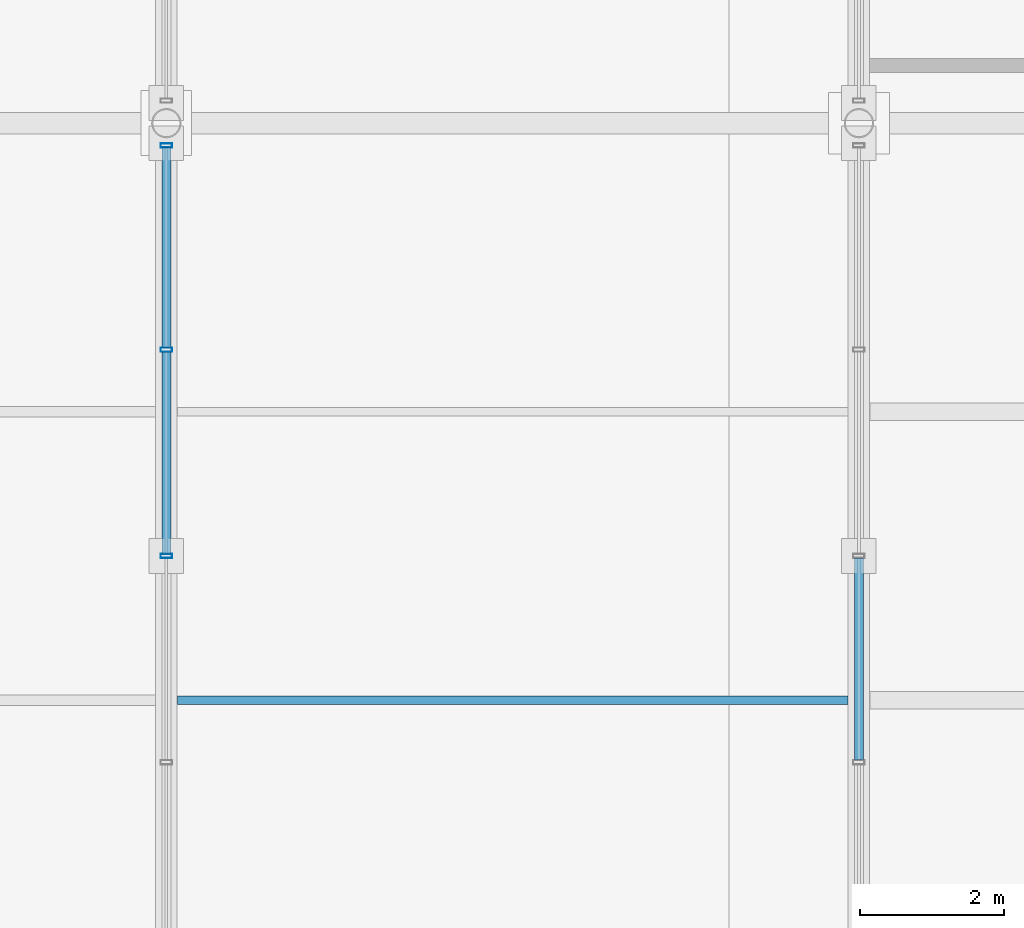
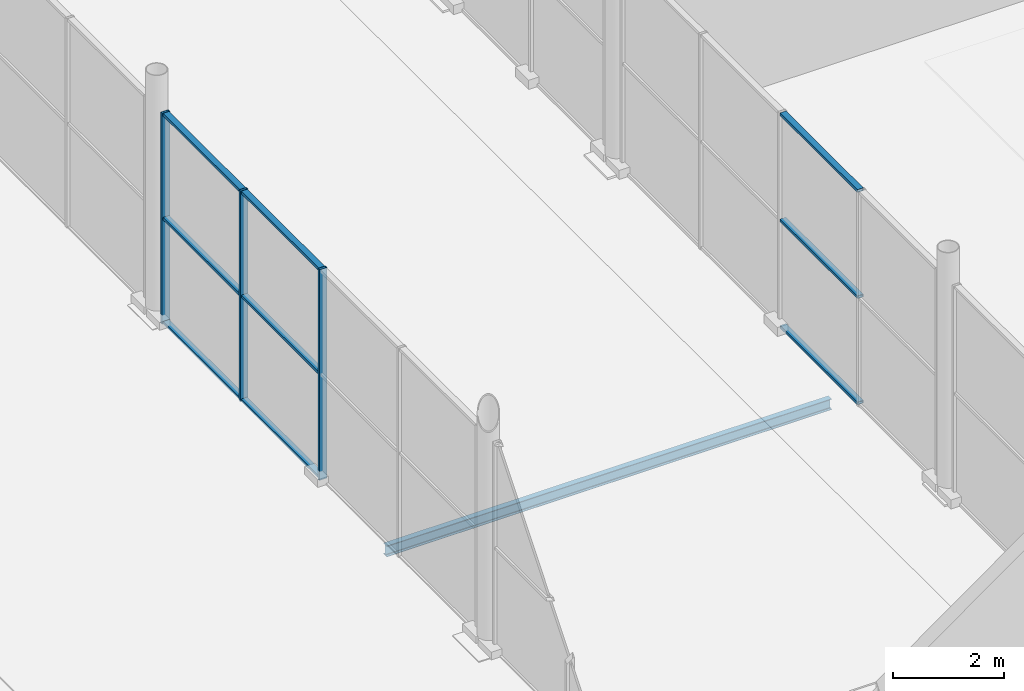
# One storey, part 73 of 196: 12 members, 1 beam, 2 elements without a shape of their own.
"""IFC4 building model written with IfcOpenShell, lengths in metres."""

from ifc_helpers import new_model, si_unit, direction, frame, origin, origin_2d, place, context, subcontext, project, spatial, hollow_rectangle, i_section, extrude, material, material_profile, profile_set, type_object, element, aggregate, save


model = new_model("IFC4")

# Units and contexts
model_context = context("Model", 3, precision=1e-05, world=origin(), true_north=direction((0.0, 1.0)))
body_context = subcontext(model_context, "Body", "Model", "MODEL_VIEW")
ifc_project = project(units=[si_unit("LENGTHUNIT", "METRE"), si_unit("AREAUNIT", "SQUARE_METRE"), si_unit("VOLUMEUNIT", "CUBIC_METRE"), si_unit("PLANEANGLEUNIT", "RADIAN"), si_unit("MASSUNIT", "GRAM", prefix="KILO")], contexts=[model_context])

# Site, building, storey
site_placement = place(None, origin())
site = spatial("IfcSite", under=ifc_project, at=site_placement, CompositionType="ELEMENT")
building_placement = place(site_placement, origin())
building = spatial("IfcBuilding", under=site, at=building_placement, Name="Merenkruunu Market Hall", CompositionType="ELEMENT")
storey_placement = place(building_placement, origin())
storey = spatial("IfcBuildingStorey", under=building, at=storey_placement, Name="L00", CompositionType="ELEMENT", Elevation=0.0)

# Curtain wall, members
ifc_material_1 = material(Name="Powder-coated aluminium", Category="aluminium")
curtain_wall_type_1 = type_object("IfcCurtainWallType", Name="Glazed Curtain Wall CW15", PredefinedType="USERDEFINED", material=ifc_material_1)
curtain_wall_1_placement = place(storey_placement, origin())
curtain_wall_1 = element("IfcCurtainWall", 1, at=curtain_wall_1_placement, inside=storey, type_object=curtain_wall_type_1, Name="CW-L00-CWM01-170", ObjectType="GLAZED_FACADE", PredefinedType="USERDEFINED")
ifc_material_profile_1 = material_profile(ifc_material_1, hollow_rectangle(XDim=0.06005859375, YDim=0.159912109375, WallThickness=0.00390625, at=origin_2d()), Name="ALU 60x160x4")
ifc_profile_set_1 = profile_set([ifc_material_profile_1], Name="Powder-coated aluminium")
member_type_1 = type_object("IfcMemberType", Name="Curtain Wall Mullion CWM01", PredefinedType="MULLION", material=ifc_profile_set_1)
member_1_placement = place(storey_placement, frame((67.199951171875, 33.60009765625, 0.0), z_axis=(0.0, 0.0, 1.0), x_axis=(0.0, 1.0, 0.0)))
member_1 = element("IfcMember", 2, at=member_1_placement, type_object=member_type_1, Name="CW15 mullion 3", PredefinedType="MULLION", context=body_context, shape_type="SweptSolid", body=[
    extrude(hollow_rectangle(XDim=0.06005859375, YDim=0.159912109375, WallThickness=0.00390625, at=origin_2d()), origin(), (0.0, 0.0, 1.0), 4.64990234375),
])
member_2_placement = place(storey_placement, frame((67.199951171875, 36.4599609375, 0.0), z_axis=(0.0, 0.0, 1.0), x_axis=(0.0, 1.0, 0.0)))
member_2 = element("IfcMember", 3, at=member_2_placement, type_object=member_type_1, Name="CW15 mullion 4", PredefinedType="MULLION", context=body_context, shape_type="SweptSolid", body=[
    extrude(hollow_rectangle(XDim=0.06005859375, YDim=0.159912109375, WallThickness=0.00390625, at=origin_2d()), origin(), (0.0, 0.0, 1.0), 4.64990234375),
])
member_3_placement = place(storey_placement, frame((67.199951171875, 39.2900390625, 0.0), z_axis=(0.0, 0.0, 1.0), x_axis=(0.0, 1.0, 0.0)))
member_3 = element("IfcMember", 4, at=member_3_placement, type_object=member_type_1, Name="CW15 mullion 5", PredefinedType="MULLION", context=body_context, shape_type="SweptSolid", body=[
    extrude(hollow_rectangle(XDim=0.06005859375, YDim=0.159912109375, WallThickness=0.00390625, at=origin_2d()), origin(), (0.0, 0.0, 1.0), 4.64990234375),
])

curtain_wall_type_2 = type_object("IfcCurtainWallType", Name="Glazed Curtain Wall CW05", PredefinedType="USERDEFINED", material=ifc_material_1)
curtain_wall_2_placement = place(storey_placement, origin())
curtain_wall_2 = element("IfcCurtainWall", 5, at=curtain_wall_2_placement, inside=storey, type_object=curtain_wall_type_2, Name="CW-L00-CWM01-152", ObjectType="GLAZED_FACADE", PredefinedType="USERDEFINED")
ifc_material_profile_2 = material_profile(ifc_material_1, hollow_rectangle(XDim=0.06005859375, YDim=0.125, WallThickness=0.00390625, at=origin_2d()), Name="ALU 60x125x4")
ifc_profile_set_2 = profile_set([ifc_material_profile_2], Name="Powder-coated aluminium")
member_type_2 = type_object("IfcMemberType", Name="Curtain Wall Transom CWT01", PredefinedType="USERDEFINED", material=ifc_profile_set_2)
member_4_placement = place(storey_placement, frame((76.800048828125, 30.77001953125, 0.030029296875), z_axis=(0.0, 1.0, 0.0), x_axis=(0.0, 0.0, 1.0)))
member_4 = element("IfcMember", 6, at=member_4_placement, type_object=member_type_2, Name="CW05 transom 2.1", ObjectType="TRANSOM", PredefinedType="USERDEFINED", context=body_context, shape_type="SweptSolid", body=[
    extrude(hollow_rectangle(XDim=0.06005859375, YDim=0.125, WallThickness=0.00390625, at=origin_2d()), origin(), (0.0, 0.0, 1.0), 2.800048828125),
])
member_5_placement = place(storey_placement, frame((76.800048828125, 30.77001953125, 2.375), z_axis=(0.0, 1.0, 0.0), x_axis=(0.0, 0.0, 1.0)))
member_5 = element("IfcMember", 7, at=member_5_placement, type_object=member_type_2, Name="CW05 transom 2.2", ObjectType="TRANSOM", PredefinedType="USERDEFINED", context=body_context, shape_type="SweptSolid", body=[
    extrude(hollow_rectangle(XDim=0.06005859375, YDim=0.125, WallThickness=0.00390625, at=origin_2d()), origin(), (0.0, 0.0, 1.0), 2.800048828125),
])
member_6_placement = place(storey_placement, frame((76.800048828125, 30.77001953125, 4.719970703125), z_axis=(0.0, 1.0, 0.0), x_axis=(0.0, 0.0, 1.0)))
member_6 = element("IfcMember", 8, at=member_6_placement, type_object=member_type_2, Name="CW05 transom 2.3", ObjectType="TRANSOM", PredefinedType="USERDEFINED", context=body_context, shape_type="SweptSolid", body=[
    extrude(hollow_rectangle(XDim=0.06005859375, YDim=0.125, WallThickness=0.00390625, at=origin_2d()), origin(), (0.0, 0.0, 1.0), 2.800048828125),
])
aggregate(curtain_wall_2, [member_4, member_5, member_6])

# Member
member_7_placement = place(storey_placement, frame((67.199951171875, 33.6298828125, 0.030029296875), z_axis=(0.0, 1.0, 0.0), x_axis=(0.0, 0.0, 1.0)))
member_7 = element("IfcMember", 9, at=member_7_placement, type_object=member_type_2, Name="CW15 transom 3.1", ObjectType="TRANSOM", PredefinedType="USERDEFINED", context=body_context, shape_type="SweptSolid", body=[
    extrude(hollow_rectangle(XDim=0.06005859375, YDim=0.125, WallThickness=0.00390625, at=origin_2d()), origin(), (0.0, 0.0, 1.0), 2.800048828125),
])

member_8_placement = place(storey_placement, frame((67.199951171875, 33.6298828125, 2.324951171875), z_axis=(0.0, 1.0, 0.0), x_axis=(0.0, 0.0, 1.0)))
member_8 = element("IfcMember", 10, at=member_8_placement, type_object=member_type_2, Name="CW15 transom 3.2", ObjectType="TRANSOM", PredefinedType="USERDEFINED", context=body_context, shape_type="SweptSolid", body=[
    extrude(hollow_rectangle(XDim=0.06005859375, YDim=0.125, WallThickness=0.00390625, at=origin_2d()), origin(), (0.0, 0.0, 1.0), 2.800048828125),
])

member_9_placement = place(storey_placement, frame((67.199951171875, 33.6298828125, 4.6201171875), z_axis=(0.0, 1.0, 0.0), x_axis=(0.0, 0.0, 1.0)))
member_9 = element("IfcMember", 11, at=member_9_placement, type_object=member_type_2, Name="CW15 transom 3.3", ObjectType="TRANSOM", PredefinedType="USERDEFINED", context=body_context, shape_type="SweptSolid", body=[
    extrude(hollow_rectangle(XDim=0.06005859375, YDim=0.125, WallThickness=0.00390625, at=origin_2d()), origin(), (0.0, 0.0, 1.0), 2.800048828125),
])

member_10_placement = place(storey_placement, frame((67.199951171875, 36.489990234375, 0.030029296875), z_axis=(0.0, 1.0, 0.0), x_axis=(0.0, 0.0, 1.0)))
member_10 = element("IfcMember", 12, at=member_10_placement, type_object=member_type_2, Name="CW15 transom 4.1", ObjectType="TRANSOM", PredefinedType="USERDEFINED", context=body_context, shape_type="SweptSolid", body=[
    extrude(hollow_rectangle(XDim=0.06005859375, YDim=0.125, WallThickness=0.00390625, at=origin_2d()), origin(), (0.0, 0.0, 1.0), 2.77001953125),
])

member_11_placement = place(storey_placement, frame((67.199951171875, 36.489990234375, 2.324951171875), z_axis=(0.0, 1.0, 0.0), x_axis=(0.0, 0.0, 1.0)))
member_11 = element("IfcMember", 13, at=member_11_placement, type_object=member_type_2, Name="CW15 transom 4.2", ObjectType="TRANSOM", PredefinedType="USERDEFINED", context=body_context, shape_type="SweptSolid", body=[
    extrude(hollow_rectangle(XDim=0.06005859375, YDim=0.125, WallThickness=0.00390625, at=origin_2d()), origin(), (0.0, 0.0, 1.0), 2.77001953125),
])

member_12_placement = place(storey_placement, frame((67.199951171875, 36.489990234375, 4.6201171875), z_axis=(0.0, 1.0, 0.0), x_axis=(0.0, 0.0, 1.0)))
member_12 = element("IfcMember", 14, at=member_12_placement, type_object=member_type_2, Name="CW15 transom 4.3", ObjectType="TRANSOM", PredefinedType="USERDEFINED", context=body_context, shape_type="SweptSolid", body=[
    extrude(hollow_rectangle(XDim=0.06005859375, YDim=0.125, WallThickness=0.00390625, at=origin_2d()), origin(), (0.0, 0.0, 1.0), 2.77001953125),
])

aggregate(curtain_wall_1, [member_1, member_2, member_3, member_7, member_8, member_9, member_10, member_11, member_12])

# Beam
ifc_material_2 = material(Name="Steel S355J2", Category="steel")
ifc_material_profile_3 = material_profile(ifc_material_2, i_section(OverallWidth=0.1201171875, OverallDepth=0.239990234375, WebThickness=0.006103515625, FlangeThickness=0.009765625, FilletRadius=0.014892578125, at=origin_2d()), Name="IPE 240")
ifc_profile_set_3 = profile_set([ifc_material_profile_3], Name="Steel S355J2")
beam_type = type_object("IfcBeamType", Name="Secondary Floor Joist J05", PredefinedType="JOIST", material=ifc_profile_set_3)
beam_placement = place(storey_placement, frame((67.35302734375, 31.60009765625, -0.419921875), z_axis=(1.0, 0.0, 0.0), x_axis=(0.0, 1.0, 0.0)))
element("IfcBeam", 15, at=beam_placement, inside=storey, type_object=beam_type, Name="BM-L00-J05-0362", PredefinedType="JOIST", context=body_context, shape_type="SweptSolid", body=[
    extrude(i_section(OverallWidth=0.1201171875, OverallDepth=0.239990234375, WebThickness=0.006103515625, FlangeThickness=0.009765625, FilletRadius=0.014892578125, at=origin_2d()), origin(), (0.0, 0.0, 1.0), 9.2939453125),
])

save(model, "model.ifc")
